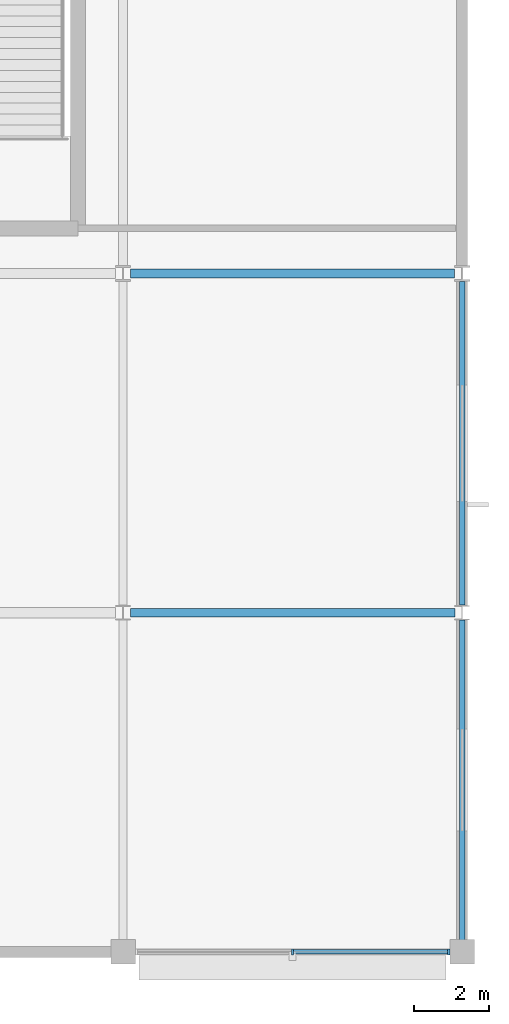
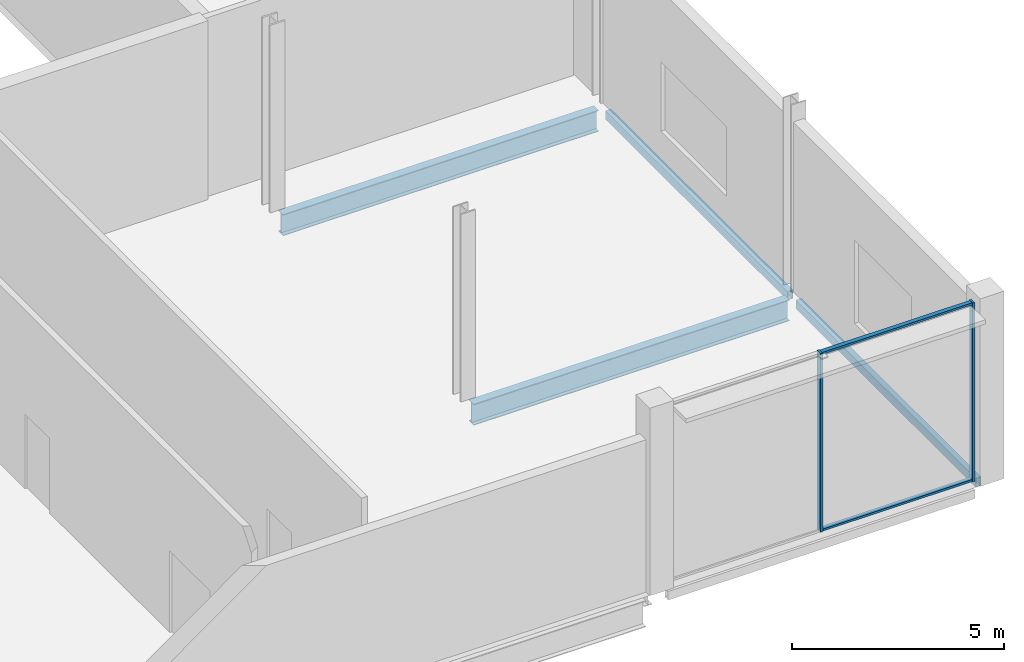
# One storey, part 47 of 111: 4 beams, 4 members, 1 element without a shape of its own.
"""IFC4 building model written with IfcOpenShell, lengths in metres."""

from ifc_helpers import new_model, si_unit, direction, frame, origin, origin_2d, place, context, subcontext, project, spatial, rectangle, hollow_rectangle, i_section, extrude, material, layer, layer_set, material_profile, profile_set, type_object, element, aggregate, save


model = new_model("IFC4")

# Units and contexts
model_context = context("Model", 3, precision=1e-05, world=origin(), true_north=direction((0.0, 1.0)))
body_context = subcontext(model_context, "Body", "Model", "MODEL_VIEW")
ifc_project = project(units=[si_unit("LENGTHUNIT", "METRE"), si_unit("AREAUNIT", "SQUARE_METRE"), si_unit("VOLUMEUNIT", "CUBIC_METRE"), si_unit("PLANEANGLEUNIT", "RADIAN"), si_unit("MASSUNIT", "GRAM", prefix="KILO")], contexts=[model_context])

# Site, building, storey
site_placement = place(None, origin())
site = spatial("IfcSite", under=ifc_project, at=site_placement, CompositionType="ELEMENT")
building_placement = place(site_placement, origin())
building = spatial("IfcBuilding", under=site, at=building_placement, Name="Kisiwana Market Hall", CompositionType="ELEMENT")
storey_placement = place(building_placement, frame((0.0, 0.0, 11.39990234375)))
storey = spatial("IfcBuildingStorey", under=building, at=storey_placement, Name="L02", CompositionType="ELEMENT", Elevation=11.39990234375)

# Beams
ifc_material_1 = material(Name="Steel S355", Category="steel")
ifc_material_profile_1 = material_profile(ifc_material_1, i_section(OverallWidth=0.22900390625, OverallDepth=0.6123046875, WebThickness=0.011962890625, FlangeThickness=0.01953125, at=origin_2d()), Name="UB 610x229x125")
ifc_profile_set_1 = profile_set([ifc_material_profile_1], Name="Steel S355")
beam_type_1 = type_object("IfcBeamType", Name="BM-GIRD-UB610H", PredefinedType="BEAM", material=ifc_profile_set_1)
beam_1_placement = place(storey_placement, frame((189.197509765625, 9.0, -0.555908203125), z_axis=(1.0, 0.0, 0.0), x_axis=(0.0, 1.0, 0.0)))
element("IfcBeam", 1, at=beam_1_placement, inside=storey, type_object=beam_type_1, Name="Floor beam B-0740", PredefinedType="BEAM", context=body_context, shape_type="SweptSolid", body=[
    extrude(i_section(OverallWidth=0.22900390625, OverallDepth=0.6123046875, WebThickness=0.011962890625, FlangeThickness=0.01953125, at=origin_2d()), origin(), (0.0, 0.0, 1.0), 8.60498046875),
])
beam_2_placement = place(storey_placement, frame((189.201904296875, 18.0, -0.555908203125), z_axis=(1.0, 0.0, 0.0), x_axis=(0.0, 1.0, 0.0)))
element("IfcBeam", 2, at=beam_2_placement, inside=storey, type_object=beam_type_1, Name="Floor beam B-0754", PredefinedType="BEAM", context=body_context, shape_type="SweptSolid", body=[
    extrude(i_section(OverallWidth=0.22900390625, OverallDepth=0.6123046875, WebThickness=0.011962890625, FlangeThickness=0.01953125, at=origin_2d()), origin(), (0.0, 0.0, 1.0), 8.59619140625),
])
ifc_material_2 = material(Name="Steel S355", Category="steel")
ifc_material_profile_2 = material_profile(ifc_material_2, hollow_rectangle(XDim=0.14990234375, YDim=0.25, WallThickness=0.010009765625, at=origin_2d()), Name="RHS 250x150x10.0")
ifc_profile_set_2 = profile_set([ifc_material_profile_2], Name="Steel S355")
beam_type_2 = type_object("IfcBeamType", Name="BM-SPAN-RHS250", PredefinedType="SPANDREL", material=ifc_profile_set_2)
beam_3_placement = place(storey_placement, frame((198.0, 0.321044921875, -0.375), z_axis=(0.0, 1.0, 0.0), x_axis=(-1.0, 0.0, 0.0)))
element("IfcBeam", 3, at=beam_3_placement, inside=storey, type_object=beam_type_2, Name="Floor beam B-0841", PredefinedType="SPANDREL", context=body_context, shape_type="SweptSolid", body=[
    extrude(hollow_rectangle(XDim=0.14990234375, YDim=0.25, WallThickness=0.010009765625, at=origin_2d()), origin(), (0.0, 0.0, 1.0), 8.479736328125),
])
beam_4_placement = place(storey_placement, frame((198.0, 9.19921875, -0.375), z_axis=(0.0, 1.0, 0.0), x_axis=(-1.0, 0.0, 0.0)))
element("IfcBeam", 4, at=beam_4_placement, inside=storey, type_object=beam_type_2, Name="Floor beam B-0842", PredefinedType="SPANDREL", context=body_context, shape_type="SweptSolid", body=[
    extrude(hollow_rectangle(XDim=0.14990234375, YDim=0.25, WallThickness=0.010009765625, at=origin_2d()), origin(), (0.0, 0.0, 1.0), 8.58740234375),
])

# Curtain wall, members
ifc_material_3 = material(Name="Double-glazed solar-control low-E IGU", Category="glass")
ifc_layer = layer(ifc_material_3, 0.159912109375)
ifc_layer_set = layer_set([ifc_layer], Name="CW-GLD-W-6400")
curtain_wall_type = type_object("IfcCurtainWallType", Name="CW-GLD-W-6400", PredefinedType="USERDEFINED", material=ifc_layer_set)
curtain_wall_placement = place(storey_placement, origin())
curtain_wall = element("IfcCurtainWall", 5, at=curtain_wall_placement, inside=storey, type_object=curtain_wall_type, Name="Unitised curtain wall CW-062 (L02)", ObjectType="UNITISED CURTAIN WALL", PredefinedType="USERDEFINED")
ifc_material_4 = material(Name="Aluminium alloy 6063-T6", Category="aluminium")
ifc_material_profile_3 = material_profile(ifc_material_4, rectangle(XDim=0.06005859375, YDim=0.159912109375, at=origin_2d()), Name="ALU MULLION 60x160")
ifc_profile_set_3 = profile_set([ifc_material_profile_3], Name="Aluminium alloy 6063-T6")
member_type_1 = type_object("IfcMemberType", Name="CW-MULL-60x160", PredefinedType="MULLION", material=ifc_profile_set_3)
member_1_placement = place(storey_placement, frame((193.5, 0.0, 0.0), z_axis=(0.0, 0.0, 1.0), x_axis=(1.0, 0.0, 0.0)))
member_1 = element("IfcMember", 6, at=member_1_placement, type_object=member_type_1, Name="CW-062 mullion 2", PredefinedType="MULLION", context=body_context, shape_type="SweptSolid", body=[
    extrude(rectangle(XDim=0.06005859375, YDim=0.159912109375, at=origin_2d()), origin(), (0.0, 0.0, 1.0), 5.150146484375),
])
member_2_placement = place(storey_placement, frame((197.64501953125, 0.0, 0.0), z_axis=(0.0, 0.0, 1.0), x_axis=(1.0, 0.0, 0.0)))
member_2 = element("IfcMember", 7, at=member_2_placement, type_object=member_type_1, Name="CW-062 mullion 3", PredefinedType="MULLION", context=body_context, shape_type="SweptSolid", body=[
    extrude(rectangle(XDim=0.06005859375, YDim=0.159912109375, at=origin_2d()), origin(), (0.0, 0.0, 1.0), 5.150146484375),
])
ifc_material_5 = material(Name="Aluminium alloy 6063-T6", Category="aluminium")
ifc_material_profile_4 = material_profile(ifc_material_5, rectangle(XDim=0.1201171875, YDim=0.06005859375, at=origin_2d()), Name="ALU TRANSOM 60x120")
ifc_profile_set_4 = profile_set([ifc_material_profile_4], Name="Aluminium alloy 6063-T6")
member_type_2 = type_object("IfcMemberType", Name="CW-TRAN-60x120", PredefinedType="USERDEFINED", material=ifc_profile_set_4)
member_3_placement = place(storey_placement, frame((193.530029296875, 0.0, 0.030029296875), z_axis=(1.0, 0.0, 0.0), x_axis=(0.0, 1.0, 0.0)))
member_3 = element("IfcMember", 8, at=member_3_placement, type_object=member_type_2, Name="CW-062 transom 2.1", ObjectType="TRANSOM", PredefinedType="USERDEFINED", context=body_context, shape_type="SweptSolid", body=[
    extrude(rectangle(XDim=0.1201171875, YDim=0.06005859375, at=origin_2d()), origin(), (0.0, 0.0, 1.0), 4.0849609375),
])
member_4_placement = place(storey_placement, frame((193.530029296875, 0.0, 5.1201171875), z_axis=(1.0, 0.0, 0.0), x_axis=(0.0, 1.0, 0.0)))
member_4 = element("IfcMember", 9, at=member_4_placement, type_object=member_type_2, Name="CW-062 transom 2.2", ObjectType="TRANSOM", PredefinedType="USERDEFINED", context=body_context, shape_type="SweptSolid", body=[
    extrude(rectangle(XDim=0.1201171875, YDim=0.06005859375, at=origin_2d()), origin(), (0.0, 0.0, 1.0), 4.0849609375),
])
aggregate(curtain_wall, [member_1, member_2, member_3, member_4])

save(model, "model.ifc")
